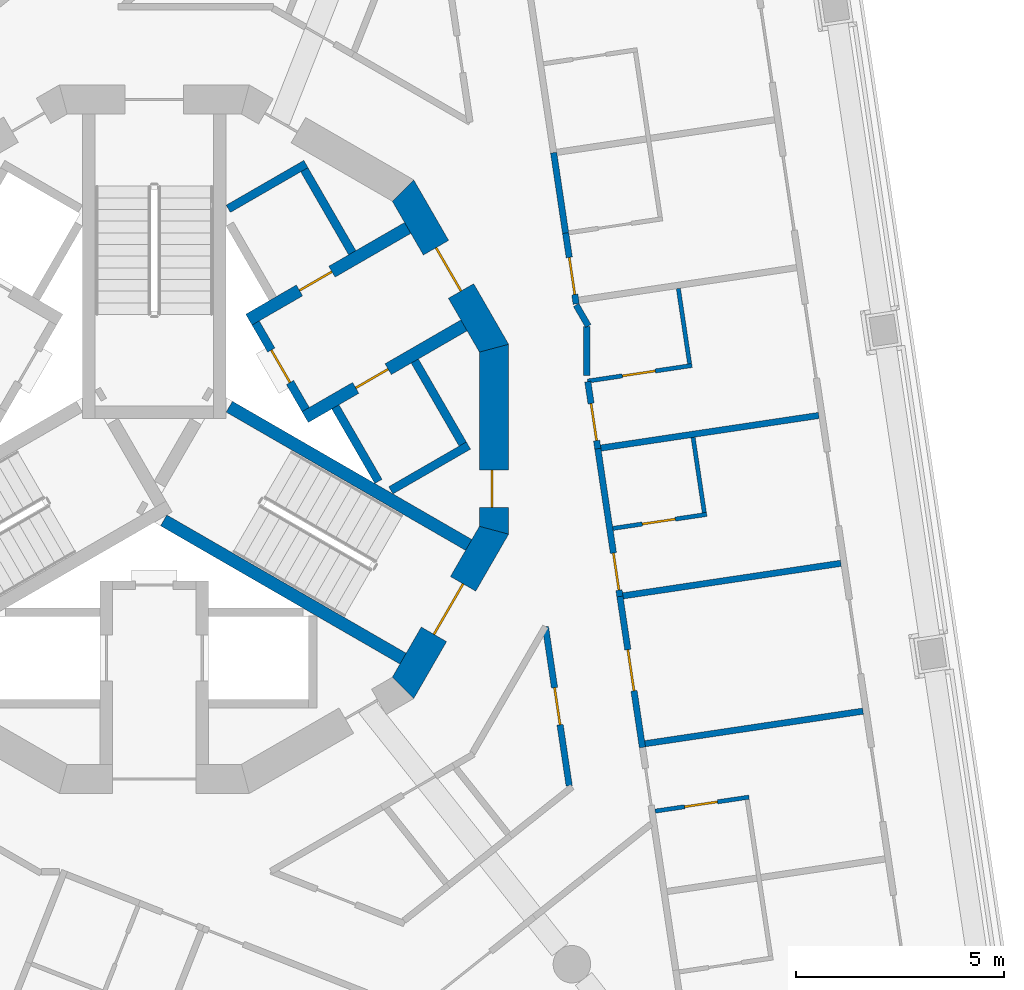
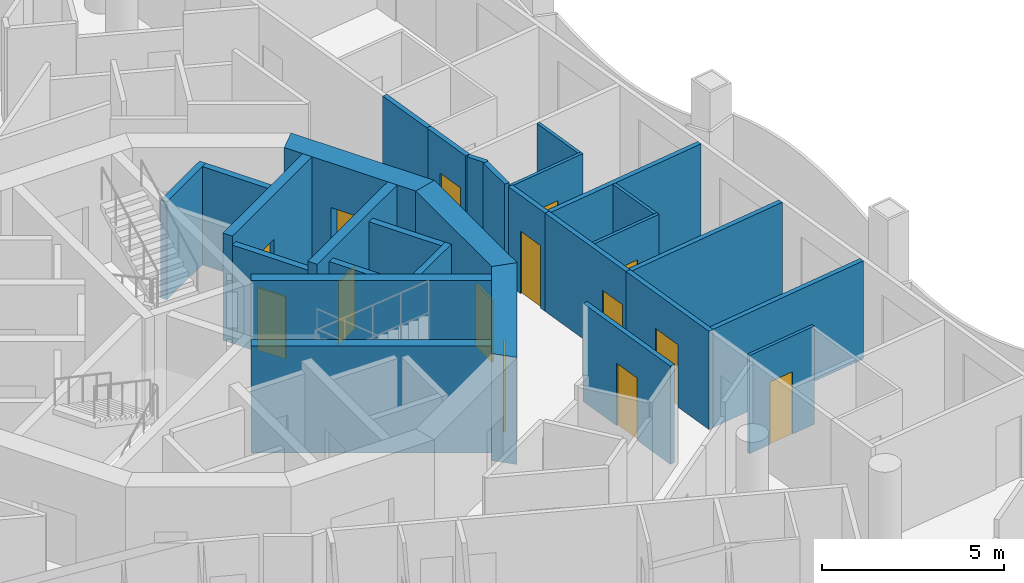
# One storey, part 6 of 17: 29 walls, 14 doors, 14 openings.
"""IFC4 building model written with IfcOpenShell, lengths in metres."""

from ifc_helpers import new_model, si_unit, direction, frame, frame_2d, origin, place, context, subcontext, project, spatial, polyline, rectangle, outline, extrude, material, layer, layer_set, type_object, element, fill, save


model = new_model("IFC4")

# Units and contexts
model_context = context("Model", 3, precision=1e-05, world=origin(), true_north=direction((0.0, 1.0)))
body_context = subcontext(model_context, "Body", "Model", "MODEL_VIEW")
ifc_project = project(units=[si_unit("LENGTHUNIT", "METRE"), si_unit("AREAUNIT", "SQUARE_METRE"), si_unit("VOLUMEUNIT", "CUBIC_METRE"), si_unit("PLANEANGLEUNIT", "RADIAN"), si_unit("MASSUNIT", "GRAM", prefix="KILO")], contexts=[model_context])

# Site, building, storey
site_placement = place(None, origin())
site = spatial("IfcSite", under=ifc_project, at=site_placement, CompositionType="ELEMENT")
building_placement = place(site_placement, origin())
building = spatial("IfcBuilding", under=site, at=building_placement, Name="Trine Commons Tower", CompositionType="ELEMENT")
storey_placement = place(building_placement, frame((0.0, 0.0, 208.800048828125)))
storey = spatial("IfcBuildingStorey", under=building, at=storey_placement, Name="L54", CompositionType="ELEMENT", Elevation=208.800048828125)

# Wall, opening, door
ifc_material_1 = material(Name="Fire-rated gypsum shaft wall system")
ifc_layer_1 = layer(ifc_material_1, 0.199951171875)
ifc_layer_set_1 = layer_set([ifc_layer_1], Name="Fire-rated gypsum shaft wall system")
wall_type_1 = type_object("IfcWallType", Name="Lobby end wall 200 mm, EI 120", PredefinedType="PARTITIONING", material=ifc_layer_set_1)
wall_1_placement = place(storey_placement, frame((83.631103515625, 63.2109375, 0.0), z_axis=(0.0, 0.0, 1.0), x_axis=(-0.50012165622, 0.865955154139, 0.0)))
wall_1 = element("IfcWall", 1, at=wall_1_placement, inside=storey, type_object=wall_type_1, Name="Lobby end wall L54", PredefinedType="PARTITIONING", context=body_context, shape_type="SweptSolid", body=[
    extrude(rectangle(XDim=2.39990234375, YDim=0.199951171875, at=frame_2d((1.199951171875, 0.0))), origin(), (0.0, 0.0, 1.0), 3.300048828125),
])
opening_1_placement = place(wall_1_placement, frame((0.749755859375, 0.0, 0.0)))
opening_1 = element("IfcOpeningElement", 2, at=opening_1_placement, cuts=wall_1, Name="Opening K16.05", PredefinedType="OPENING", context=body_context, shape_type="SweptSolid", body=[
    extrude(rectangle(XDim=0.89990234375, YDim=2.10009765625, at=frame_2d((0.449951171875, 1.050048828125))), frame((0.0, 0.10986328125, 0.0), z_axis=(0.0, -1.0, 0.0), x_axis=(1.0, 0.0, 0.0)), (0.0, 0.0, 1.0), 0.219970703125),
])
ifc_material_2 = material(Name="Steel door leaf, fire-rated", Category="steel")
door_type_1 = type_object("IfcDoorType", Name="Riser access door, single leaf 900 x 2100, FD60", OperationType="SINGLE_SWING_LEFT", PredefinedType="DOOR", material=ifc_material_2)
door_1_placement = place(opening_1_placement, frame((0.89990234375, 0.0, 0.0), z_axis=(0.0, 0.0, 1.0), x_axis=(-1.0, 0.0, 0.0)))
door_1 = element("IfcDoor", 3, at=door_1_placement, inside=storey, type_object=door_type_1, Name="Riser door, Electrical riser L54", OperationType="SINGLE_SWING_LEFT", OverallHeight=2.10009765625, OverallWidth=0.89990234375, PredefinedType="DOOR", context=body_context, shape_type="SweptSolid", body=[
    extrude(rectangle(XDim=0.89990234375, YDim=2.10009765625, at=frame_2d((0.449951171875, 1.050048828125))), frame((0.0, 0.02490234375, 0.0), z_axis=(0.0, -1.0, 0.0), x_axis=(1.0, 0.0, 0.0)), (0.0, 0.0, 1.0), 0.050048828125),
])
fill(opening_1, door_1)

ifc_material_3 = material(Name="Concrete C60/75", Category="concrete")
ifc_layer_2 = layer(ifc_material_3, 0.300048828125)
ifc_layer_set_2 = layer_set([ifc_layer_2], Name="Concrete C60/75")
wall_type_2 = type_object("IfcWallType", Name="RC shear wall 300 mm, C60/75", PredefinedType="SHEAR", material=ifc_layer_set_2)
wall_2_placement = place(storey_placement, frame((82.26904296875, 65.368896484375, 0.0), z_axis=(0.0, 0.0, 1.0), x_axis=(0.866035918664, 0.499981787252, 0.0)))
wall_2 = element("IfcWall", 4, at=wall_2_placement, inside=storey, type_object=wall_type_2, Name="Core cross wall SWC-05 L54", PredefinedType="SHEAR", context=body_context, shape_type="SweptSolid", body=[
    extrude(rectangle(XDim=4.400634765625, YDim=0.300048828125, at=frame_2d((2.2001953125, 0.0))), origin(), (0.0, 0.0, 1.0), 3.599853515625),
])
opening_2_placement = place(wall_2_placement, frame((1.400390625, 0.0, 0.0)))
opening_2 = element("IfcOpeningElement", 5, at=opening_2_placement, cuts=wall_2, Name="Opening K16.10", PredefinedType="OPENING", context=body_context, shape_type="SweptSolid", body=[
    extrude(rectangle(XDim=0.89990234375, YDim=2.10009765625, at=frame_2d((0.449951171875, 1.050048828125))), frame((0.0, 0.159912109375, 0.0), z_axis=(0.0, -1.0, 0.0), x_axis=(1.0, 0.0, 0.0)), (0.0, 0.0, 1.0), 0.320068359375),
])
door_type_2 = type_object("IfcDoorType", Name="Core room door, single leaf 900 x 2100, FD30S", OperationType="SINGLE_SWING_LEFT", PredefinedType="DOOR", material=ifc_material_2)
door_2_placement = place(opening_2_placement, origin())
door_2 = element("IfcDoor", 6, at=door_2_placement, inside=storey, type_object=door_type_2, Name="Door to Linen store L54", OperationType="SINGLE_SWING_LEFT", OverallHeight=2.10009765625, OverallWidth=0.89990234375, PredefinedType="DOOR", context=body_context, shape_type="SweptSolid", body=[
    extrude(rectangle(XDim=0.89990234375, YDim=2.10009765625, at=frame_2d((0.449951171875, 1.050048828125))), frame((0.0, 0.02490234375, 0.0), z_axis=(0.0, -1.0, 0.0), x_axis=(1.0, 0.0, 0.0)), (0.0, 0.0, 1.0), 0.050048828125),
])
fill(opening_2, door_2)

wall_3_placement = place(storey_placement, frame((83.618896484375, 63.031005859375, 0.0), z_axis=(0.0, 0.0, 1.0), x_axis=(0.866059941101, 0.499940174841, 0.0)))
wall_3 = element("IfcWall", 7, at=wall_3_placement, inside=storey, type_object=wall_type_2, Name="Core cross wall SWC-06 L54", PredefinedType="SHEAR", context=body_context, shape_type="SweptSolid", body=[
    extrude(rectangle(XDim=4.400390625, YDim=0.300048828125, at=frame_2d((2.2001953125, 0.0))), origin(), (0.0, 0.0, 1.0), 3.599853515625),
])
opening_3_placement = place(wall_3_placement, frame((1.400390625, 0.0, 0.0)))
opening_3 = element("IfcOpeningElement", 8, at=opening_3_placement, cuts=wall_3, Name="Opening K16.11", PredefinedType="OPENING", context=body_context, shape_type="SweptSolid", body=[
    extrude(rectangle(XDim=0.89990234375, YDim=2.10009765625, at=frame_2d((0.449951171875, 1.050048828125))), frame((0.0, 0.159912109375, 0.0), z_axis=(0.0, -1.0, 0.0), x_axis=(1.0, 0.0, 0.0)), (0.0, 0.0, 1.0), 0.320068359375),
])
door_3_placement = place(opening_3_placement, frame((0.89990234375, 0.0, 0.0), z_axis=(0.0, 0.0, 1.0), x_axis=(-1.0, 0.0, 0.0)))
door_3 = element("IfcDoor", 9, at=door_3_placement, inside=storey, type_object=door_type_2, Name="Door to Pantry L54", OperationType="SINGLE_SWING_LEFT", OverallHeight=2.10009765625, OverallWidth=0.89990234375, PredefinedType="DOOR", context=body_context, shape_type="SweptSolid", body=[
    extrude(rectangle(XDim=0.89990234375, YDim=2.10009765625, at=frame_2d((0.449951171875, 1.050048828125))), frame((0.0, 0.02490234375, 0.0), z_axis=(0.0, -1.0, 0.0), x_axis=(1.0, 0.0, 0.0)), (0.0, 0.0, 1.0), 0.050048828125),
])
fill(opening_3, door_3)

# Walls
for number, where, z_axis, x_axis, name in (
    (10, (80.22509765625, 60.552001953125, 0.0), (0.0, 0.0, 1.0), (0.866009627307, -0.500027324665, 0.0), "Core cross wall SWC-13 L54"),
    (11, (81.800048828125, 63.280029296875, 0.0), (0.0, 0.0, 1.0), (0.866009627307, -0.500027324665, 0.0), "Core cross wall SWC-18 L54"),
):
    element("IfcWall", number, at=place(storey_placement, frame(where, z_axis=z_axis, x_axis=x_axis)), inside=storey, type_object=wall_type_2, Name=name, PredefinedType="SHEAR", context=body_context, shape_type="SweptSolid", body=[
        extrude(rectangle(XDim=6.631591796875, YDim=0.300048828125, at=frame_2d((3.31591796875, 0.0))), origin(), (0.0, 0.0, 1.0), 3.599853515625),
    ])

# Wall, opening, door
ifc_layer_3 = layer(ifc_material_3, 0.699951171875)
ifc_layer_set_3 = layer_set([ifc_layer_3], Name="Concrete C60/75")
wall_type_3 = type_object("IfcWallType", Name="RC shear wall 700 mm, C60/75", PredefinedType="SHEAR", material=ifc_layer_set_3)
wall_4_placement = place(storey_placement, frame((88.150146484375, 60.222412109375, 0.0), z_axis=(0.0, 0.0, 1.0), x_axis=(0.0, 1.0, 0.0)))
wall_4 = element("IfcWall", 12, at=wall_4_placement, inside=storey, type_object=wall_type_3, Name="Core wall CWF-01 L54", PredefinedType="SHEAR", context=body_context, shape_type="SweptSolid", body=[
    extrude(outline(polyline([(0.0, -0.35009765625), (4.55517578125, -0.35009765625), (4.36767578125, 0.35009765625), (0.1875, 0.35009765625), (0.0, -0.35009765625)])), origin(), (0.0, 0.0, 1.0), 3.599853515625),
])
opening_4_placement = place(wall_4_placement, frame((0.6416015625, 0.0, 0.0)))
opening_4 = element("IfcOpeningElement", 13, at=opening_4_placement, cuts=wall_4, Name="Opening K16.17", PredefinedType="OPENING", context=body_context, shape_type="SweptSolid", body=[
    extrude(rectangle(XDim=0.89990234375, YDim=2.10009765625, at=frame_2d((0.449951171875, 1.050048828125))), frame((0.0, 0.35986328125, 0.0), z_axis=(0.0, -1.0, 0.0), x_axis=(1.0, 0.0, 0.0)), (0.0, 0.0, 1.0), 0.719970703125),
])
door_4_placement = place(opening_4_placement, origin())
door_4 = element("IfcDoor", 14, at=door_4_placement, inside=storey, type_object=door_type_2, Name="Door to Accessible WC L54", OperationType="SINGLE_SWING_LEFT", OverallHeight=2.10009765625, OverallWidth=0.89990234375, PredefinedType="DOOR", context=body_context, shape_type="SweptSolid", body=[
    extrude(rectangle(XDim=0.89990234375, YDim=2.10009765625, at=frame_2d((0.449951171875, 1.050048828125))), frame((0.0, 0.0751953125, 0.0), z_axis=(0.0, -1.0, 0.0), x_axis=(1.0, 0.0, 0.0)), (0.0, 0.0, 1.0), 0.050048828125),
])
fill(opening_4, door_4)

wall_5_placement = place(storey_placement, frame((88.197021484375, 64.6025390625, 0.0), z_axis=(0.0, 0.0, 1.0), x_axis=(-0.499983800959, 0.866034756103, 0.0)))
wall_5 = element("IfcWall", 15, at=wall_5_placement, inside=storey, type_object=wall_type_3, Name="Core wall CWF-02 L54", PredefinedType="SHEAR", context=body_context, shape_type="SweptSolid", body=[
    extrude(outline(polyline([(0.0, -0.35009765625), (4.55517578125, -0.35009765625), (4.36767578125, 0.35009765625), (0.1875, 0.35009765625), (0.0, -0.35009765625)])), origin(), (0.0, 0.0, 1.0), 3.599853515625),
])
opening_5_placement = place(wall_5_placement, frame((1.677490234375, 0.0, 0.0)))
opening_5 = element("IfcOpeningElement", 16, at=opening_5_placement, cuts=wall_5, Name="Opening K16.04", PredefinedType="OPENING", context=body_context, shape_type="SweptSolid", body=[
    extrude(rectangle(XDim=1.199951171875, YDim=2.10009765625, at=frame_2d((0.60009765625, 1.050048828125))), frame((0.0, 0.35986328125, 0.0), z_axis=(0.0, -1.0, 0.0), x_axis=(1.0, 0.0, 0.0)), (0.0, 0.0, 1.0), 0.719970703125),
])
ifc_material_4 = material(Name="Steel door leaves, fire-rated", Category="steel")
door_type_3 = type_object("IfcDoorType", Name="Lobby door, double leaf 1200 x 2100, FD60", OperationType="DOUBLE_DOOR_SINGLE_SWING", PredefinedType="DOOR", material=ifc_material_4)
door_5_placement = place(opening_5_placement, origin())
door_5 = element("IfcDoor", 17, at=door_5_placement, inside=storey, type_object=door_type_3, Name="Lobby door, Core lounge L54", OperationType="DOUBLE_DOOR_SINGLE_SWING", OverallHeight=2.10009765625, OverallWidth=1.199951171875, PredefinedType="DOOR", context=body_context, shape_type="SweptSolid", body=[
    extrude(rectangle(XDim=1.199951171875, YDim=2.10009765625, at=frame_2d((0.60009765625, 1.050048828125))), frame((0.0, 0.02490234375, 0.0), z_axis=(0.0, -1.0, 0.0), x_axis=(1.0, 0.0, 0.0)), (0.0, 0.0, 1.0), 0.050048828125),
])
fill(opening_5, door_5)

wall_6_placement = place(storey_placement, frame((85.91943359375, 56.452392578125, 0.0), z_axis=(0.0, 0.0, 1.0), x_axis=(0.499983800959, 0.866034756103, 0.0)))
wall_6 = element("IfcWall", 18, at=wall_6_placement, inside=storey, type_object=wall_type_3, Name="Core wall CWF-12 L54", PredefinedType="SHEAR", context=body_context, shape_type="SweptSolid", body=[
    extrude(outline(polyline([(0.0, -0.35009765625), (4.55517578125, -0.35009765625), (4.36767578125, 0.35009765625), (0.1875, 0.35009765625), (0.0, -0.35009765625)])), origin(), (0.0, 0.0, 1.0), 3.599853515625),
])
opening_6_placement = place(wall_6_placement, frame((1.577392578125, 0.0, 0.0)))
opening_6 = element("IfcOpeningElement", 19, at=opening_6_placement, cuts=wall_6, Name="Opening K16.03", PredefinedType="OPENING", context=body_context, shape_type="SweptSolid", body=[
    extrude(rectangle(XDim=1.39990234375, YDim=2.10009765625, at=frame_2d((0.699951171875, 1.050048828125))), frame((0.0, 0.35986328125, 0.0), z_axis=(0.0, -1.0, 0.0), x_axis=(1.0, 0.0, 0.0)), (0.0, 0.0, 1.0), 0.719970703125),
])
door_type_4 = type_object("IfcDoorType", Name="Stair door, double leaf 1400 x 2100, FD90", OperationType="DOUBLE_DOOR_SINGLE_SWING", PredefinedType="DOOR", material=ifc_material_4)
door_6_placement = place(opening_6_placement, origin())
door_6 = element("IfcDoor", 20, at=door_6_placement, inside=storey, type_object=door_type_4, Name="Stair door to Exit stair ST3C L54", OperationType="DOUBLE_DOOR_SINGLE_SWING", OverallHeight=2.10009765625, OverallWidth=1.39990234375, PredefinedType="DOOR", context=body_context, shape_type="SweptSolid", body=[
    extrude(rectangle(XDim=1.39990234375, YDim=2.10009765625, at=frame_2d((0.699951171875, 1.050048828125))), frame((0.0, 0.02490234375, 0.0), z_axis=(0.0, -1.0, 0.0), x_axis=(1.0, 0.0, 0.0)), (0.0, 0.0, 1.0), 0.050048828125),
])
fill(opening_6, door_6)

# Walls
ifc_layer_4 = layer(ifc_material_1, 0.199951171875)
ifc_layer_set_4 = layer_set([ifc_layer_4], Name="Fire-rated gypsum shaft wall system")
wall_type_4 = type_object("IfcWallType", Name="Shaft wall 200 mm, EI 120", PredefinedType="PARTITIONING", material=ifc_layer_set_4)
wall_7_placement = place(storey_placement, frame((81.77490234375, 68.028076171875, 0.0), z_axis=(0.0, 0.0, 1.0), x_axis=(0.866130725101, 0.499817533742, 0.0)))
element("IfcWall", 21, at=wall_7_placement, inside=storey, type_object=wall_type_4, Name="Shaft wall L54", PredefinedType="PARTITIONING", context=body_context, shape_type="SweptSolid", body=[
    extrude(rectangle(XDim=2.148681640625, YDim=0.199951171875, at=frame_2d((1.07421875, 0.0))), origin(), (0.0, 0.0, 1.0), 3.300048828125),
])
wall_8_placement = place(storey_placement, frame((84.343994140625, 63.27587890625, 0.0), z_axis=(0.0, 0.0, 1.0), x_axis=(0.500271688072, -0.86586848777, 0.0)))
element("IfcWall", 22, at=wall_8_placement, inside=storey, type_object=wall_type_4, Name="Shaft wall L54", PredefinedType="PARTITIONING", context=body_context, shape_type="SweptSolid", body=[
    extrude(rectangle(XDim=2.064697265625, YDim=0.199951171875, at=frame_2d((1.0322265625, 0.0))), origin(), (0.0, 0.0, 1.0), 3.300048828125),
])
wall_9_placement = place(storey_placement, frame((84.7490234375, 66.97412109375, 0.0), z_axis=(0.0, 0.0, 1.0), x_axis=(-0.500136062276, 0.86594683394, 0.0)))
element("IfcWall", 23, at=wall_9_placement, inside=storey, type_object=wall_type_4, Name="Shaft wall L54", PredefinedType="PARTITIONING", context=body_context, shape_type="SweptSolid", body=[
    extrude(rectangle(XDim=2.299072265625, YDim=0.199951171875, at=frame_2d((1.1494140625, 0.0))), origin(), (0.0, 0.0, 1.0), 3.300048828125),
])
wall_10_placement = place(storey_placement, frame((85.675048828125, 61.27392578125, 0.0), z_axis=(0.0, 0.0, 1.0), x_axis=(0.866102336459, 0.499866725018, 0.0)))
element("IfcWall", 24, at=wall_10_placement, inside=storey, type_object=wall_type_4, Name="Shaft wall L54", PredefinedType="PARTITIONING", context=body_context, shape_type="SweptSolid", body=[
    extrude(rectangle(XDim=2.1484375, YDim=0.199951171875, at=frame_2d((1.07421875, 0.0))), origin(), (0.0, 0.0, 1.0), 3.300048828125),
])
wall_11_placement = place(storey_placement, frame((86.2490234375, 64.3759765625, 0.0), z_axis=(0.0, 0.0, 1.0), x_axis=(0.500136062276, -0.86594683394, 0.0)))
element("IfcWall", 25, at=wall_11_placement, inside=storey, type_object=wall_type_4, Name="Shaft wall L54", PredefinedType="PARTITIONING", context=body_context, shape_type="SweptSolid", body=[
    extrude(rectangle(XDim=2.299072265625, YDim=0.199951171875, at=frame_2d((1.1494140625, 0.0))), origin(), (0.0, 0.0, 1.0), 3.300048828125),
])

# Wall, opening, door
ifc_material_5 = material(Name="Gypsum plasterboard on steel stud", Category="steel")
ifc_layer_5 = layer(ifc_material_5, 0.14990234375)
ifc_layer_set_5 = layer_set([ifc_layer_5], Name="Gypsum plasterboard on steel stud")
wall_type_5 = type_object("IfcWallType", Name="Unit and corridor wall 150 mm, EI 60", PredefinedType="PARTITIONING", material=ifc_layer_set_5)
wall_12_placement = place(storey_placement, frame((89.383056640625, 58.001953125, 0.0), z_axis=(0.0, 0.0, 1.0), x_axis=(0.14791043165, -0.989000760469, 0.0)))
wall_12 = element("IfcWall", 26, at=wall_12_placement, inside=storey, type_object=wall_type_5, Name="Partition 115", PredefinedType="PARTITIONING", context=body_context, shape_type="SweptSolid", body=[
    extrude(rectangle(XDim=3.859130859375, YDim=0.14990234375, at=frame_2d((1.9296875, 0.0))), origin(), (0.0, 0.0, 1.0), 3.300048828125),
])
opening_7_placement = place(wall_12_placement, frame((1.4794921875, 0.0, 0.0)))
opening_7 = element("IfcOpeningElement", 27, at=opening_7_placement, cuts=wall_12, Name="Opening D-6B29", PredefinedType="OPENING", context=body_context, shape_type="SweptSolid", body=[
    extrude(rectangle(XDim=0.89990234375, YDim=2.10009765625, at=frame_2d((0.449951171875, 1.050048828125))), frame((0.0, 0.0849609375, 0.0), z_axis=(0.0, -1.0, 0.0), x_axis=(1.0, 0.0, 0.0)), (0.0, 0.0, 1.0), 0.169921875),
])
ifc_material_6 = material(Name="Timber fire door set", Category="wood")
door_type_5 = type_object("IfcDoorType", Name="Service door 900 x 2100, FD30S", OperationType="NOTDEFINED", PredefinedType="DOOR", material=ifc_material_6)
door_7_placement = place(opening_7_placement, frame((0.89990234375, 0.0, 0.0), z_axis=(0.0, 0.0, 1.0), x_axis=(-1.0, 0.0, 0.0)))
door_7 = element("IfcDoor", 28, at=door_7_placement, inside=storey, type_object=door_type_5, Name="Door D-6B29", OperationType="SINGLE_SWING_RIGHT", OverallHeight=2.10009765625, OverallWidth=0.89990234375, PredefinedType="DOOR", context=body_context, shape_type="SweptSolid", body=[
    extrude(rectangle(XDim=0.89990234375, YDim=2.10009765625, at=frame_2d((0.449951171875, 1.050048828125))), frame((0.0, 0.02490234375, 0.0), z_axis=(0.0, -1.0, 0.0), x_axis=(1.0, 0.0, 0.0)), (0.0, 0.0, 1.0), 0.050048828125),
])
fill(opening_7, door_7)

# Wall
wall_13_placement = place(storey_placement, frame((89.580078125, 69.375, 0.0), z_axis=(0.0, 0.0, 1.0), x_axis=(0.147561773313, -0.989052841388, 0.0)))
element("IfcWall", 29, at=wall_13_placement, inside=storey, type_object=wall_type_5, Name="Partition 117", PredefinedType="PARTITIONING", context=body_context, shape_type="SweptSolid", body=[
    extrude(rectangle(XDim=2.008544921875, YDim=0.14990234375, at=frame_2d((1.00439453125, 0.0))), origin(), (0.0, 0.0, 1.0), 3.300048828125),
])

# Wall, opening, door
wall_14_placement = place(storey_placement, frame((89.867919921875, 67.446044921875, 0.0), z_axis=(0.0, 0.0, 1.0), x_axis=(0.147840420569, -0.989011228473, 0.0)))
wall_14 = element("IfcWall", 30, at=wall_14_placement, inside=storey, type_object=wall_type_5, Name="Partition 119", PredefinedType="PARTITIONING", context=body_context, shape_type="SweptSolid", body=[
    extrude(rectangle(XDim=1.718994140625, YDim=0.14990234375, at=frame_2d((0.859375, 0.0))), origin(), (0.0, 0.0, 1.0), 3.300048828125),
])
opening_8_placement = place(wall_14_placement, frame((0.58984375, 0.0, 0.0)))
opening_8 = element("IfcOpeningElement", 31, at=opening_8_placement, cuts=wall_14, Name="Opening D-6B15", PredefinedType="OPENING", context=body_context, shape_type="SweptSolid", body=[
    extrude(rectangle(XDim=0.89990234375, YDim=2.10009765625, at=frame_2d((0.449951171875, 1.050048828125))), frame((0.0, 0.0849609375, 0.0), z_axis=(0.0, -1.0, 0.0), x_axis=(1.0, 0.0, 0.0)), (0.0, 0.0, 1.0), 0.169921875),
])
door_type_6 = type_object("IfcDoorType", Name="Bedroom door 900 x 2100, FD30S", OperationType="NOTDEFINED", PredefinedType="DOOR", material=ifc_material_6)
door_8_placement = place(opening_8_placement, origin())
door_8 = element("IfcDoor", 32, at=door_8_placement, inside=storey, type_object=door_type_6, Name="Door D-6B15", OperationType="SINGLE_SWING_RIGHT", OverallHeight=2.10009765625, OverallWidth=0.89990234375, PredefinedType="DOOR", context=body_context, shape_type="SweptSolid", body=[
    extrude(rectangle(XDim=0.89990234375, YDim=2.10009765625, at=frame_2d((0.449951171875, 1.050048828125))), frame((0.0, 0.02490234375, 0.0), z_axis=(0.0, -1.0, 0.0), x_axis=(1.0, 0.0, 0.0)), (0.0, 0.0, 1.0), 0.050048828125),
])
fill(opening_8, door_8)

# Walls
wall_15_placement = place(storey_placement, frame((90.12109375, 65.718994140625, 0.0), z_axis=(0.0, 0.0, 1.0), x_axis=(0.500738673164, -0.865598510395, 0.0)))
element("IfcWall", 33, at=wall_15_placement, inside=storey, type_object=wall_type_5, Name="Partition 121", PredefinedType="PARTITIONING", context=body_context, shape_type="SweptSolid", body=[
    extrude(rectangle(XDim=0.58203125, YDim=0.14990234375, at=frame_2d((0.291015625, 0.0))), origin(), (0.0, 0.0, 1.0), 3.300048828125),
])
wall_16_placement = place(storey_placement, frame((90.375, 64.02294921875, 0.0), z_axis=(0.0, 0.0, 1.0), x_axis=(0.0, 1.0, 0.0)))
element("IfcWall", 34, at=wall_16_placement, inside=storey, type_object=wall_type_5, Name="Partition 124", PredefinedType="PARTITIONING", context=body_context, shape_type="SweptSolid", body=[
    extrude(rectangle(XDim=1.18212890625, YDim=0.14990234375, at=frame_2d((0.591064453125, 0.0))), origin(), (0.0, 0.0, 1.0), 3.300048828125),
])

# Wall, opening, door
wall_17_placement = place(storey_placement, frame((90.39990234375, 63.882080078125, 0.0), z_axis=(0.0, 0.0, 1.0), x_axis=(0.147511205878, -0.989060384476, 0.0)))
wall_17 = element("IfcWall", 35, at=wall_17_placement, inside=storey, type_object=wall_type_5, Name="Partition 126", PredefinedType="PARTITIONING", context=body_context, shape_type="SweptSolid", body=[
    extrude(rectangle(XDim=1.626953125, YDim=0.14990234375, at=frame_2d((0.8134765625, 0.0))), origin(), (0.0, 0.0, 1.0), 3.300048828125),
])
opening_9_placement = place(wall_17_placement, frame((0.530517578125, 0.0, 0.0)))
opening_9 = element("IfcOpeningElement", 36, at=opening_9_placement, cuts=wall_17, Name="Opening D-6B16", PredefinedType="OPENING", context=body_context, shape_type="SweptSolid", body=[
    extrude(rectangle(XDim=0.89990234375, YDim=2.10009765625, at=frame_2d((0.449951171875, 1.050048828125))), frame((0.0, 0.0849609375, 0.0), z_axis=(0.0, -1.0, 0.0), x_axis=(1.0, 0.0, 0.0)), (0.0, 0.0, 1.0), 0.169921875),
])
door_9_placement = place(opening_9_placement, origin())
door_9 = element("IfcDoor", 37, at=door_9_placement, inside=storey, type_object=door_type_6, Name="Door D-6B16", OperationType="SINGLE_SWING_RIGHT", OverallHeight=2.10009765625, OverallWidth=0.89990234375, PredefinedType="DOOR", context=body_context, shape_type="SweptSolid", body=[
    extrude(rectangle(XDim=0.89990234375, YDim=2.10009765625, at=frame_2d((0.449951171875, 1.050048828125))), frame((0.0, 0.02490234375, 0.0), z_axis=(0.0, -1.0, 0.0), x_axis=(1.0, 0.0, 0.0)), (0.0, 0.0, 1.0), 0.050048828125),
])
fill(opening_9, door_9)

wall_18_placement = place(storey_placement, frame((90.6279296875, 62.355224609375, 0.0), z_axis=(0.0, 0.0, 1.0), x_axis=(0.147744877395, -0.989025505841, 0.0)))
wall_18 = element("IfcWall", 38, at=wall_18_placement, inside=storey, type_object=wall_type_5, Name="Partition 127", PredefinedType="PARTITIONING", context=body_context, shape_type="SweptSolid", body=[
    extrude(rectangle(XDim=3.66845703125, YDim=0.14990234375, at=frame_2d((1.834228515625, 0.0))), origin(), (0.0, 0.0, 1.0), 3.300048828125),
])
opening_10_placement = place(wall_18_placement, frame((2.614501953125, 0.0, 0.0)))
opening_10 = element("IfcOpeningElement", 39, at=opening_10_placement, cuts=wall_18, Name="Opening D-6B17", PredefinedType="OPENING", context=body_context, shape_type="SweptSolid", body=[
    extrude(rectangle(XDim=0.89990234375, YDim=2.10009765625, at=frame_2d((0.449951171875, 1.050048828125))), frame((0.0, 0.0849609375, 0.0), z_axis=(0.0, -1.0, 0.0), x_axis=(1.0, 0.0, 0.0)), (0.0, 0.0, 1.0), 0.169921875),
])
door_10_placement = place(opening_10_placement, origin())
door_10 = element("IfcDoor", 40, at=door_10_placement, inside=storey, type_object=door_type_6, Name="Door D-6B17", OperationType="SINGLE_SWING_RIGHT", OverallHeight=2.10009765625, OverallWidth=0.89990234375, PredefinedType="DOOR", context=body_context, shape_type="SweptSolid", body=[
    extrude(rectangle(XDim=0.89990234375, YDim=2.10009765625, at=frame_2d((0.449951171875, 1.050048828125))), frame((0.0, 0.02490234375, 0.0), z_axis=(0.0, -1.0, 0.0), x_axis=(1.0, 0.0, 0.0)), (0.0, 0.0, 1.0), 0.050048828125),
])
fill(opening_10, door_10)

# Wall
wall_19_placement = place(storey_placement, frame((90.714111328125, 62.2880859375, 0.0), z_axis=(0.0, 0.0, 1.0), x_axis=(0.988994889639, 0.147949681543, 0.0)))
element("IfcWall", 41, at=wall_19_placement, inside=storey, type_object=wall_type_5, Name="Partition 128", PredefinedType="PARTITIONING", context=body_context, shape_type="SweptSolid", body=[
    extrude(rectangle(XDim=5.285400390625, YDim=0.14990234375, at=frame_2d((2.642578125, 0.0))), origin(), (0.0, 0.0, 1.0), 3.300048828125),
])

# Wall, opening, door
wall_20_placement = place(storey_placement, frame((91.1689453125, 58.735107421875, 0.0), z_axis=(0.0, 0.0, 1.0), x_axis=(0.147761346956, -0.989023045407, 0.0)))
wall_20 = element("IfcWall", 42, at=wall_20_placement, inside=storey, type_object=wall_type_5, Name="Partition 130", PredefinedType="PARTITIONING", context=body_context, shape_type="SweptSolid", body=[
    extrude(rectangle(XDim=3.669677734375, YDim=0.14990234375, at=frame_2d((1.8349609375, 0.0))), origin(), (0.0, 0.0, 1.0), 3.300048828125),
])
opening_11_placement = place(wall_20_placement, frame((1.29736328125, 0.0, 0.0)))
opening_11 = element("IfcOpeningElement", 43, at=opening_11_placement, cuts=wall_20, Name="Opening D-6B18", PredefinedType="OPENING", context=body_context, shape_type="SweptSolid", body=[
    extrude(rectangle(XDim=1.0, YDim=2.10009765625, at=frame_2d((0.5, 1.050048828125))), frame((0.0, 0.0849609375, 0.0), z_axis=(0.0, -1.0, 0.0), x_axis=(1.0, 0.0, 0.0)), (0.0, 0.0, 1.0), 0.169921875),
])
ifc_material_7 = material(Name="Painted timber", Category="wood")
door_type_7 = type_object("IfcDoorType", Name="Amenity room door 1000 x 2100, NOT RATED", OperationType="NOTDEFINED", PredefinedType="DOOR", material=ifc_material_7)
door_11_placement = place(opening_11_placement, origin())
door_11 = element("IfcDoor", 44, at=door_11_placement, inside=storey, type_object=door_type_7, Name="Door D-6B18", OperationType="SINGLE_SWING_LEFT", OverallHeight=2.10009765625, OverallWidth=1.0, PredefinedType="DOOR", context=body_context, shape_type="SweptSolid", body=[
    extrude(rectangle(XDim=1.0, YDim=2.10009765625, at=frame_2d((0.5, 1.050048828125))), frame((0.0, 0.02490234375, 0.0), z_axis=(0.0, -1.0, 0.0), x_axis=(1.0, 0.0, 0.0)), (0.0, 0.0, 1.0), 0.050048828125),
])
fill(opening_11, door_11)

# Walls
for number, where, z_axis, x_axis, name in (
    (45, (91.244140625, 58.7421875, 0.0), (0.0, 0.0, 1.0), (0.98902190879, 0.147768954566, 0.0), "Partition 131"),
    (46, (91.774169921875, 55.195068359375, 0.0), (0.0, 0.0, 1.0), (0.98902190879, 0.147768954566, 0.0), "Partition 134"),
):
    element("IfcWall", number, at=place(storey_placement, frame(where, z_axis=z_axis, x_axis=x_axis)), inside=storey, type_object=wall_type_5, Name=name, PredefinedType="PARTITIONING", context=body_context, shape_type="SweptSolid", body=[
        extrude(rectangle(XDim=5.285400390625, YDim=0.14990234375, at=frame_2d((2.642578125, 0.0))), origin(), (0.0, 0.0, 1.0), 3.300048828125),
    ])

# Wall, opening, door
ifc_layer_6 = layer(ifc_material_5, 0.10009765625)
ifc_layer_set_6 = layer_set([ifc_layer_6], Name="Gypsum plasterboard on steel stud")
wall_type_6 = type_object("IfcWallType", Name="Unit partition 100 mm, no rating", PredefinedType="PARTITIONING", material=ifc_layer_set_6)
wall_21_placement = place(storey_placement, frame((90.39794921875, 63.89501953125, 0.0), z_axis=(0.0, 0.0, 1.0), x_axis=(0.988991508707, 0.147972280192, 0.0)))
wall_21 = element("IfcWall", 47, at=wall_21_placement, inside=storey, type_object=wall_type_6, Name="Partition 125", PredefinedType="PARTITIONING", context=body_context, shape_type="SweptSolid", body=[
    extrude(rectangle(XDim=2.529296875, YDim=0.10009765625, at=frame_2d((1.2646484375, 0.0))), origin(), (0.0, 0.0, 1.0), 3.300048828125),
])
opening_12_placement = place(wall_21_placement, frame((0.839599609375, 0.0, 0.0)))
opening_12 = element("IfcOpeningElement", 48, at=opening_12_placement, cuts=wall_21, Name="Opening D-6B46", PredefinedType="OPENING", context=body_context, shape_type="SweptSolid", body=[
    extrude(rectangle(XDim=0.800048828125, YDim=2.10009765625, at=frame_2d((0.39990234375, 1.050048828125))), frame((0.0, 0.06005859375, 0.0), z_axis=(0.0, -1.0, 0.0), x_axis=(1.0, 0.0, 0.0)), (0.0, 0.0, 1.0), 0.1201171875),
])
door_type_8 = type_object("IfcDoorType", Name="Internal door 800 x 2100, NOT RATED", OperationType="NOTDEFINED", PredefinedType="DOOR", material=ifc_material_7)
door_12_placement = place(opening_12_placement, frame((0.800048828125, 0.0, 0.0), z_axis=(0.0, 0.0, 1.0), x_axis=(-1.0, 0.0, 0.0)))
door_12 = element("IfcDoor", 49, at=door_12_placement, inside=storey, type_object=door_type_8, Name="Door D-6B46", OperationType="SINGLE_SWING_RIGHT", OverallHeight=2.10009765625, OverallWidth=0.800048828125, PredefinedType="DOOR", context=body_context, shape_type="SweptSolid", body=[
    extrude(rectangle(XDim=0.800048828125, YDim=2.10009765625, at=frame_2d((0.39990234375, 1.050048828125))), frame((0.0, 0.02490234375, 0.0), z_axis=(0.0, -1.0, 0.0), x_axis=(1.0, 0.0, 0.0)), (0.0, 0.0, 1.0), 0.050048828125),
])
fill(opening_12, door_12)

wall_22_placement = place(storey_placement, frame((91.002197265625, 60.360107421875, 0.0), z_axis=(0.0, 0.0, 1.0), x_axis=(0.989023546454, 0.147757993216, 0.0)))
wall_22 = element("IfcWall", 50, at=wall_22_placement, inside=storey, type_object=wall_type_6, Name="Partition 129", PredefinedType="PARTITIONING", context=body_context, shape_type="SweptSolid", body=[
    extrude(rectangle(XDim=2.275146484375, YDim=0.10009765625, at=frame_2d((1.1376953125, 0.0))), origin(), (0.0, 0.0, 1.0), 3.300048828125),
])
opening_13_placement = place(wall_22_placement, frame((0.712646484375, 0.0, 0.0)))
opening_13 = element("IfcOpeningElement", 51, at=opening_13_placement, cuts=wall_22, Name="Opening D-6B47", PredefinedType="OPENING", context=body_context, shape_type="SweptSolid", body=[
    extrude(rectangle(XDim=0.800048828125, YDim=2.10009765625, at=frame_2d((0.39990234375, 1.050048828125))), frame((0.0, 0.06005859375, 0.0), z_axis=(0.0, -1.0, 0.0), x_axis=(1.0, 0.0, 0.0)), (0.0, 0.0, 1.0), 0.1201171875),
])
door_13_placement = place(opening_13_placement, frame((0.800048828125, 0.0, 0.0), z_axis=(0.0, 0.0, 1.0), x_axis=(-1.0, 0.0, 0.0)))
door_13 = element("IfcDoor", 52, at=door_13_placement, inside=storey, type_object=door_type_8, Name="Door D-6B47", OperationType="SINGLE_SWING_RIGHT", OverallHeight=2.10009765625, OverallWidth=0.800048828125, PredefinedType="DOOR", context=body_context, shape_type="SweptSolid", body=[
    extrude(rectangle(XDim=0.800048828125, YDim=2.10009765625, at=frame_2d((0.39990234375, 1.050048828125))), frame((0.0, 0.02490234375, 0.0), z_axis=(0.0, -1.0, 0.0), x_axis=(1.0, 0.0, 0.0)), (0.0, 0.0, 1.0), 0.050048828125),
])
fill(opening_13, door_13)

wall_23_placement = place(storey_placement, frame((92.01611328125, 53.5771484375, 0.0), z_axis=(0.0, 0.0, 1.0), x_axis=(0.989025888794, 0.147742313828, 0.0)))
wall_23 = element("IfcWall", 53, at=wall_23_placement, inside=storey, type_object=wall_type_6, Name="Partition 135", PredefinedType="PARTITIONING", context=body_context, shape_type="SweptSolid", body=[
    extrude(rectangle(XDim=2.275390625, YDim=0.10009765625, at=frame_2d((1.1376953125, 0.0))), origin(), (0.0, 0.0, 1.0), 3.300048828125),
])
opening_14_placement = place(wall_23_placement, frame((0.712646484375, 0.0, 0.0)))
opening_14 = element("IfcOpeningElement", 54, at=opening_14_placement, cuts=wall_23, Name="Opening D-6B48", PredefinedType="OPENING", context=body_context, shape_type="SweptSolid", body=[
    extrude(rectangle(XDim=0.800048828125, YDim=2.10009765625, at=frame_2d((0.39990234375, 1.050048828125))), frame((0.0, 0.06005859375, 0.0), z_axis=(0.0, -1.0, 0.0), x_axis=(1.0, 0.0, 0.0)), (0.0, 0.0, 1.0), 0.1201171875),
])
door_14_placement = place(opening_14_placement, origin())
door_14 = element("IfcDoor", 55, at=door_14_placement, inside=storey, type_object=door_type_8, Name="Door D-6B48", OperationType="SINGLE_SWING_LEFT", OverallHeight=2.10009765625, OverallWidth=0.800048828125, PredefinedType="DOOR", context=body_context, shape_type="SweptSolid", body=[
    extrude(rectangle(XDim=0.800048828125, YDim=2.10009765625, at=frame_2d((0.39990234375, 1.050048828125))), frame((0.0, 0.02490234375, 0.0), z_axis=(0.0, -1.0, 0.0), x_axis=(1.0, 0.0, 0.0)), (0.0, 0.0, 1.0), 0.050048828125),
])
fill(opening_14, door_14)

# Walls
for number, where, z_axis, x_axis, name in (
    (56, (92.572998046875, 66.11572265625, 0.0), (0.0, 0.0, 1.0), (0.147751431332, -0.989024526763, 0.0), "Partition 139"),
    (57, (92.926025390625, 62.542724609375, 0.0), (0.0, 0.0, 1.0), (0.147751431332, -0.989024526763, 0.0), "Partition 141"),
):
    element("IfcWall", number, at=place(storey_placement, frame(where, z_axis=z_axis, x_axis=x_axis)), inside=storey, type_object=wall_type_6, Name=name, PredefinedType="PARTITIONING", context=body_context, shape_type="SweptSolid", body=[
        extrude(rectangle(XDim=1.82421875, YDim=0.10009765625, at=frame_2d((0.912109375, 0.0))), origin(), (0.0, 0.0, 1.0), 3.300048828125),
    ])

save(model, "model.ifc")
